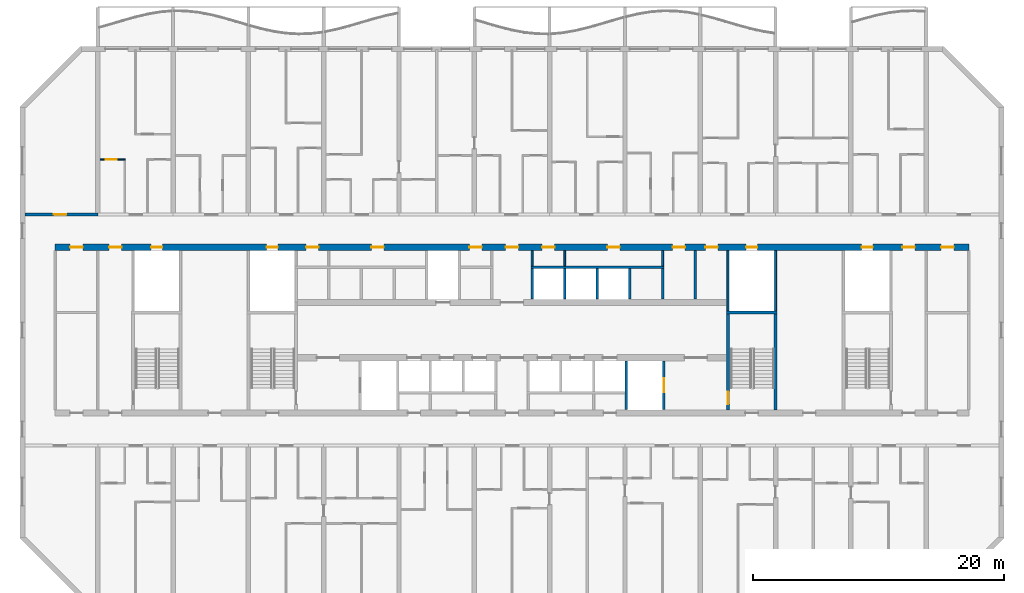
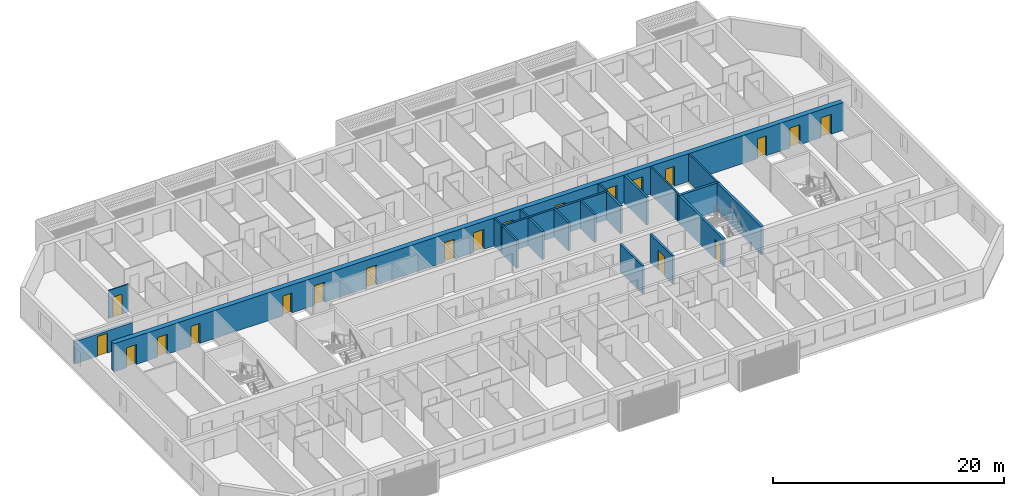
# One storey, part 8 of 24: 20 doors, 20 walls, 20 openings.
"""IFC4 building model written with IfcOpenShell, lengths in metres."""

from ifc_helpers import new_model, si_unit, direction, frame, frame_2d, origin, place, context, subcontext, project, spatial, rectangle, extrude, material, layer, layer_set, type_object, element, fill, save


model = new_model("IFC4")

# Units and contexts
model_context = context("Model", 3, precision=1e-05, world=origin(), true_north=direction((0.0, 1.0)))
body_context = subcontext(model_context, "Body", "Model", "MODEL_VIEW")
ifc_project = project(units=[si_unit("LENGTHUNIT", "METRE"), si_unit("AREAUNIT", "SQUARE_METRE"), si_unit("VOLUMEUNIT", "CUBIC_METRE"), si_unit("PLANEANGLEUNIT", "RADIAN"), si_unit("MASSUNIT", "GRAM", prefix="KILO")], contexts=[model_context])

# Site, building, storey
site_placement = place(None, origin())
site = spatial("IfcSite", under=ifc_project, at=site_placement, CompositionType="ELEMENT")
building_placement = place(site_placement, origin())
building = spatial("IfcBuilding", under=site, at=building_placement, Name="Poui Terraces", CompositionType="ELEMENT")
storey_placement = place(building_placement, frame((0.0, 0.0, 112.5)))
storey = spatial("IfcBuildingStorey", under=building, at=storey_placement, Name="L31", CompositionType="ELEMENT", Elevation=112.5)

# Wall
ifc_material_1 = material(Name="Fire-rated plasterboard wall")
ifc_layer_1 = layer(ifc_material_1, 0.14990234375)
ifc_layer_set_1 = layer_set([ifc_layer_1], Name="Fire-rated plasterboard wall")
wall_type_1 = type_object("IfcWallType", Name="CORRIDOR WALL 150", PredefinedType="PARTITIONING", material=ifc_layer_set_1)
wall_1_placement = place(storey_placement, frame((52.60009765625, 26.300048828125, 0.0), z_axis=(0.0, 0.0, 1.0), x_axis=(0.0, 1.0, 0.0)))
element("IfcWall", 1, at=wall_1_placement, inside=storey, type_object=wall_type_1, Name="CORRIDOR WALL 150", PredefinedType="PARTITIONING", context=body_context, shape_type="SweptSolid", body=[
    extrude(rectangle(XDim=1.239990234375, YDim=0.14990234375, at=frame_2d((0.6201171875, 0.0))), origin(), (0.0, 0.0, 1.0), 2.949951171875),
])

# Wall, opening, door
ifc_material_2 = material(Name="Concrete 65 MPa", Category="concrete")
ifc_layer_2 = layer(ifc_material_2, 0.25)
ifc_layer_set_2 = layer_set([ifc_layer_2], Name="Concrete 65 MPa")
wall_type_2 = type_object("IfcWallType", Name="CORRIDOR WALL 250 65MPa", PredefinedType="SHEAR", material=ifc_layer_set_2)
wall_2_placement = place(storey_placement, frame((12.199951171875, 30.39990234375, 0.0), z_axis=(0.0, 0.0, 1.0), x_axis=(1.0, 0.0, 0.0)))
wall_2 = element("IfcWall", 2, at=wall_2_placement, inside=storey, type_object=wall_type_2, Name="CORRIDOR WALL LINE E BAY 1", PredefinedType="SHEAR", context=body_context, shape_type="SweptSolid", body=[
    extrude(rectangle(XDim=5.800048828125, YDim=0.25, at=frame_2d((2.89990234375, 0.0))), origin(), (0.0, 0.0, 1.0), 2.35009765625),
])
opening_1_placement = place(wall_2_placement, frame((2.300048828125, 0.0, 0.0)))
opening_1 = element("IfcOpeningElement", 3, at=opening_1_placement, cuts=wall_2, Name="Opening D100", PredefinedType="OPENING", context=body_context, shape_type="SweptSolid", body=[
    extrude(rectangle(XDim=1.0, YDim=2.10009765625, at=frame_2d((0.5, 1.050048828125))), frame((0.0, 0.135009765625, 0.0), z_axis=(0.0, -1.0, 0.0), x_axis=(1.0, 0.0, 0.0)), (0.0, 0.0, 1.0), 0.27001953125),
])
ifc_material_3 = material(Name="Solid core timber door", Category="wood")
door_type_1 = type_object("IfcDoorType", Name="ACCESSIBLE INTERNAL DOOR 1000 X 2100", OperationType="NOTDEFINED", PredefinedType="DOOR", material=ifc_material_3)
door_1_placement = place(opening_1_placement, origin())
door_1 = element("IfcDoor", 4, at=door_1_placement, inside=storey, type_object=door_type_1, Name="ACCESSIBLE INTERNAL DOOR 030", OperationType="SINGLE_SWING_LEFT", OverallHeight=2.10009765625, OverallWidth=1.0, PredefinedType="DOOR", context=body_context, shape_type="SweptSolid", body=[
    extrude(rectangle(XDim=1.0, YDim=2.10009765625, at=frame_2d((0.5, 1.050048828125))), frame((0.0, 0.02490234375, 0.0), z_axis=(0.0, -1.0, 0.0), x_axis=(1.0, 0.0, 0.0)), (0.0, 0.0, 1.0), 0.050048828125),
])
fill(opening_1, door_1)

ifc_material_4 = material(Name="Plasterboard partition")
ifc_layer_3 = layer(ifc_material_4, 0.10009765625)
ifc_layer_set_3 = layer_set([ifc_layer_3], Name="Plasterboard partition")
wall_type_3 = type_object("IfcWallType", Name="FLAT PARTITION 100", PredefinedType="PARTITIONING", material=ifc_layer_set_3)
wall_3_placement = place(storey_placement, frame((18.18505859375, 34.800048828125, 0.0), z_axis=(0.0, 0.0, 1.0), x_axis=(1.0, 0.0, 0.0)))
wall_3 = element("IfcWall", 5, at=wall_3_placement, inside=storey, type_object=wall_type_3, Name="FLAT PARTITION 100", PredefinedType="PARTITIONING", context=body_context, shape_type="SweptSolid", body=[
    extrude(rectangle(XDim=2.014892578125, YDim=0.10009765625, at=frame_2d((1.00732421875, 0.0))), origin(), (0.0, 0.0, 1.0), 2.949951171875),
])
opening_2_placement = place(wall_3_placement, frame((0.43994140625, 0.0, 0.0)))
opening_2 = element("IfcOpeningElement", 6, at=opening_2_placement, cuts=wall_3, Name="Opening D90", PredefinedType="OPENING", context=body_context, shape_type="SweptSolid", body=[
    extrude(rectangle(XDim=0.89990234375, YDim=2.10009765625, at=frame_2d((0.449951171875, 1.050048828125))), frame((0.0, 0.06005859375, 0.0), z_axis=(0.0, -1.0, 0.0), x_axis=(1.0, 0.0, 0.0)), (0.0, 0.0, 1.0), 0.1201171875),
])
door_type_2 = type_object("IfcDoorType", Name="INTERNAL DOOR 900 X 2100", OperationType="NOTDEFINED", PredefinedType="DOOR", material=ifc_material_3)
door_2_placement = place(opening_2_placement, frame((0.89990234375, 0.0, 0.0), z_axis=(0.0, 0.0, 1.0), x_axis=(-1.0, 0.0, 0.0)))
door_2 = element("IfcDoor", 7, at=door_2_placement, inside=storey, type_object=door_type_2, Name="INTERNAL DOOR 031", OperationType="SINGLE_SWING_LEFT", OverallHeight=2.10009765625, OverallWidth=0.89990234375, PredefinedType="DOOR", context=body_context, shape_type="SweptSolid", body=[
    extrude(rectangle(XDim=0.89990234375, YDim=2.10009765625, at=frame_2d((0.449951171875, 1.050048828125))), frame((0.0, 0.02490234375, 0.0), z_axis=(0.0, -1.0, 0.0), x_axis=(1.0, 0.0, 0.0)), (0.0, 0.0, 1.0), 0.050048828125),
])
fill(opening_2, door_2)

# Walls
ifc_layer_4 = layer(ifc_material_4, 0.14990234375)
ifc_layer_set_4 = layer_set([ifc_layer_4], Name="Plasterboard partition")
wall_type_4 = type_object("IfcWallType", Name="PARTITION WALL 150", PredefinedType="PARTITIONING", material=ifc_layer_set_4)
for number, where, z_axis, x_axis, name in (
    (8, (55.199951171875, 26.300048828125, 0.0), (0.0, 0.0, 1.0), (0.0, 1.0, 0.0), "PARTITION WALL 150"),
    (9, (63.0, 26.300048828125, 0.0), (0.0, 0.0, 1.0), (0.0, 1.0, 0.0), "PARTITION WALL 150"),
):
    element("IfcWall", number, at=place(storey_placement, frame(where, z_axis=z_axis, x_axis=x_axis)), inside=storey, type_object=wall_type_4, Name=name, PredefinedType="PARTITIONING", context=body_context, shape_type="SweptSolid", body=[
        extrude(rectangle(XDim=1.239990234375, YDim=0.14990234375, at=frame_2d((0.6201171875, 0.0))), origin(), (0.0, 0.0, 1.0), 2.949951171875),
    ])
ifc_material_5 = material(Name="Fire-rated masonry wall", Category="masonry")
ifc_layer_5 = layer(ifc_material_5, 0.199951171875)
ifc_layer_set_5 = layer_set([ifc_layer_5], Name="Fire-rated masonry wall")
wall_type_5 = type_object("IfcWallType", Name="PLANT ROOM WALL 200", PredefinedType="PARTITIONING", material=ifc_layer_set_5)
wall_4_placement = place(storey_placement, frame((65.60009765625, 23.659912109375, 0.0), z_axis=(0.0, 0.0, 1.0), x_axis=(0.0, 1.0, 0.0)))
element("IfcWall", 10, at=wall_4_placement, inside=storey, type_object=wall_type_5, Name="PLANT ROOM WALL 200", PredefinedType="PARTITIONING", context=body_context, shape_type="SweptSolid", body=[
    extrude(rectangle(XDim=3.880126953125, YDim=0.199951171875, at=frame_2d((1.93994140625, 0.0))), origin(), (0.0, 0.0, 1.0), 2.949951171875),
])
ifc_material_6 = material(Name="Fire-rated plasterboard riser wall")
ifc_layer_6 = layer(ifc_material_6, 0.14990234375)
ifc_layer_set_6 = layer_set([ifc_layer_6], Name="Fire-rated plasterboard riser wall")
wall_type_6 = type_object("IfcWallType", Name="RISER WALL 150", PredefinedType="PARTITIONING", material=ifc_layer_set_6)
for number, where, z_axis, x_axis, name in (
    (11, (68.199951171875, 22.735107421875, 0.0), (0.0, 0.0, 1.0), (0.0, 1.0, 0.0), "RISER WALL 150"),
    (12, (72.0, 22.735107421875, 0.0), (0.0, 0.0, 1.0), (0.0, 1.0, 0.0), "RISER WALL 150"),
):
    element("IfcWall", number, at=place(storey_placement, frame(where, z_axis=z_axis, x_axis=x_axis)), inside=storey, type_object=wall_type_6, Name=name, PredefinedType="PARTITIONING", context=body_context, shape_type="SweptSolid", body=[
        extrude(rectangle(XDim=4.804931640625, YDim=0.14990234375, at=frame_2d((2.40234375, 0.0))), origin(), (0.0, 0.0, 1.0), 2.949951171875),
    ])
ifc_material_7 = material(Name="Fire-rated masonry shaft wall", Category="masonry")
ifc_layer_7 = layer(ifc_material_7, 0.199951171875)
ifc_layer_set_7 = layer_set([ifc_layer_7], Name="Fire-rated masonry shaft wall")
wall_type_7 = type_object("IfcWallType", Name="SHAFT WALL 200", PredefinedType="PARTITIONING", material=ifc_layer_set_7)
wall_5_placement = place(storey_placement, frame((52.5, 26.199951171875, 0.0), z_axis=(0.0, 0.0, 1.0), x_axis=(1.0, 0.0, 0.0)))
element("IfcWall", 13, at=wall_5_placement, inside=storey, type_object=wall_type_7, Name="SHAFT WALL 200", PredefinedType="PARTITIONING", context=body_context, shape_type="SweptSolid", body=[
    extrude(rectangle(XDim=10.60009765625, YDim=0.199951171875, at=frame_2d((5.300048828125, 0.0))), origin(), (0.0, 0.0, 1.0), 2.949951171875),
])
for number, where, z_axis, x_axis, name in (
    (14, (52.60009765625, 23.659912109375, 0.0), (0.0, 0.0, 1.0), (0.0, 1.0, 0.0), "SHAFT WALL 200"),
    (15, (55.199951171875, 23.659912109375, 0.0), (0.0, 0.0, 1.0), (0.0, 1.0, 0.0), "SHAFT WALL 200"),
    (16, (57.800048828125, 23.659912109375, 0.0), (0.0, 0.0, 1.0), (0.0, 1.0, 0.0), "SHAFT WALL 200"),
):
    element("IfcWall", number, at=place(storey_placement, frame(where, z_axis=z_axis, x_axis=x_axis)), inside=storey, type_object=wall_type_7, Name=name, PredefinedType="PARTITIONING", context=body_context, shape_type="SweptSolid", body=[
        extrude(rectangle(XDim=2.440185546875, YDim=0.199951171875, at=frame_2d((1.22021484375, 0.0))), origin(), (0.0, 0.0, 1.0), 2.949951171875),
    ])
wall_6_placement = place(storey_placement, frame((60.10009765625, 14.860107421875, 0.0), z_axis=(0.0, 0.0, 1.0), x_axis=(0.0, 1.0, 0.0)))
element("IfcWall", 17, at=wall_6_placement, inside=storey, type_object=wall_type_7, Name="SHAFT WALL 200", PredefinedType="PARTITIONING", context=body_context, shape_type="SweptSolid", body=[
    extrude(rectangle(XDim=3.8798828125, YDim=0.199951171875, at=frame_2d((1.93994140625, 0.0))), origin(), (0.0, 0.0, 1.0), 2.949951171875),
])
for number, where, z_axis, x_axis, name in (
    (18, (60.39990234375, 23.659912109375, 0.0), (0.0, 0.0, 1.0), (0.0, 1.0, 0.0), "SHAFT WALL 200"),
    (19, (63.0, 23.659912109375, 0.0), (0.0, 0.0, 1.0), (0.0, 1.0, 0.0), "SHAFT WALL 200"),
):
    element("IfcWall", number, at=place(storey_placement, frame(where, z_axis=z_axis, x_axis=x_axis)), inside=storey, type_object=wall_type_7, Name=name, PredefinedType="PARTITIONING", context=body_context, shape_type="SweptSolid", body=[
        extrude(rectangle(XDim=2.440185546875, YDim=0.199951171875, at=frame_2d((1.22021484375, 0.0))), origin(), (0.0, 0.0, 1.0), 2.949951171875),
    ])

# Wall, opening, door
wall_7_placement = place(storey_placement, frame((63.10009765625, 14.860107421875, 0.0), z_axis=(0.0, 0.0, 1.0), x_axis=(0.0, 1.0, 0.0)))
wall_7 = element("IfcWall", 20, at=wall_7_placement, inside=storey, type_object=wall_type_7, Name="SHAFT WALL 200", PredefinedType="PARTITIONING", context=body_context, shape_type="SweptSolid", body=[
    extrude(rectangle(XDim=3.8798828125, YDim=0.199951171875, at=frame_2d((1.93994140625, 0.0))), origin(), (0.0, 0.0, 1.0), 2.949951171875),
])
opening_3_placement = place(wall_7_placement, frame((1.389892578125, 0.0, 0.0)))
opening_3 = element("IfcOpeningElement", 21, at=opening_3_placement, cuts=wall_7, Name="Opening LD", PredefinedType="OPENING", context=body_context, shape_type="SweptSolid", body=[
    extrude(rectangle(XDim=1.10009765625, YDim=2.10009765625, at=frame_2d((0.550048828125, 1.050048828125))), frame((0.0, 0.10986328125, 0.0), z_axis=(0.0, -1.0, 0.0), x_axis=(1.0, 0.0, 0.0)), (0.0, 0.0, 1.0), 0.219970703125),
])
ifc_material_8 = material(Name="Stainless steel sliding door", Category="steel")
door_type_3 = type_object("IfcDoorType", Name="LIFT LANDING DOOR 1100 X 2100", OperationType="DOUBLE_DOOR_SLIDING", PredefinedType="DOOR", material=ifc_material_8)
door_3_placement = place(opening_3_placement, origin())
door_3 = element("IfcDoor", 22, at=door_3_placement, inside=storey, type_object=door_type_3, Name="LANDING DOOR", OperationType="DOUBLE_DOOR_SLIDING", OverallHeight=2.10009765625, OverallWidth=1.10009765625, PredefinedType="DOOR", context=body_context, shape_type="SweptSolid", body=[
    extrude(rectangle(XDim=1.10009765625, YDim=2.10009765625, at=frame_2d((0.550048828125, 1.050048828125))), frame((0.0, 0.02490234375, 0.0), z_axis=(0.0, -1.0, 0.0), x_axis=(1.0, 0.0, 0.0)), (0.0, 0.0, 1.0), 0.050048828125),
])
fill(opening_3, door_3)

# Wall, openings, doors
ifc_layer_8 = layer(ifc_material_2, 0.5)
ifc_layer_set_8 = layer_set([ifc_layer_8], Name="Concrete 65 MPa")
wall_type_8 = type_object("IfcWallType", Name="SPINE WALL 500 65 MPA", PredefinedType="SOLIDWALL", material=ifc_layer_set_8)
wall_8_placement = place(storey_placement, frame((14.60009765625, 27.800048828125, 0.0), z_axis=(0.0, 0.0, 1.0), x_axis=(1.0, 0.0, 0.0)))
wall_8 = element("IfcWall", 23, at=wall_8_placement, inside=storey, type_object=wall_type_8, Name="SPINE WALL", PredefinedType="SOLIDWALL", context=body_context, shape_type="SweptSolid", body=[
    extrude(rectangle(XDim=72.7998046875, YDim=0.5, at=frame_2d((36.39990234375, 0.0))), origin(), (0.0, 0.0, 1.0), 2.949951171875),
])
opening_4_placement = place(wall_8_placement, frame((1.199951171875, 0.0, 0.0)))
opening_4 = element("IfcOpeningElement", 24, at=opening_4_placement, cuts=wall_8, Name="Opening D100", PredefinedType="OPENING", context=body_context, shape_type="SweptSolid", body=[
    extrude(rectangle(XDim=1.0, YDim=2.10009765625, at=frame_2d((0.5, 1.050048828125))), frame((0.0, 0.260009765625, 0.0), z_axis=(0.0, -1.0, 0.0), x_axis=(1.0, 0.0, 0.0)), (0.0, 0.0, 1.0), 0.52001953125),
])
opening_5_placement = place(wall_8_placement, frame((4.300048828125, 0.0, 0.0)))
opening_5 = element("IfcOpeningElement", 25, at=opening_5_placement, cuts=wall_8, Name="Opening FDL", PredefinedType="OPENING", context=body_context, shape_type="SweptSolid", body=[
    extrude(rectangle(XDim=1.0, YDim=2.10009765625, at=frame_2d((0.5, 1.050048828125))), frame((0.0, 0.260009765625, 0.0), z_axis=(0.0, -1.0, 0.0), x_axis=(1.0, 0.0, 0.0)), (0.0, 0.0, 1.0), 0.52001953125),
])
opening_6_placement = place(wall_8_placement, frame((7.64990234375, 0.0, 0.0)))
opening_6 = element("IfcOpeningElement", 26, at=opening_6_placement, cuts=wall_8, Name="Opening FDR", PredefinedType="OPENING", context=body_context, shape_type="SweptSolid", body=[
    extrude(rectangle(XDim=0.89990234375, YDim=2.10009765625, at=frame_2d((0.449951171875, 1.050048828125))), frame((0.0, 0.260009765625, 0.0), z_axis=(0.0, -1.0, 0.0), x_axis=(1.0, 0.0, 0.0)), (0.0, 0.0, 1.0), 0.52001953125),
])
opening_7_placement = place(wall_8_placement, frame((16.85009765625, 0.0, 0.0)))
opening_7 = element("IfcOpeningElement", 27, at=opening_7_placement, cuts=wall_8, Name="Opening FDR", PredefinedType="OPENING", context=body_context, shape_type="SweptSolid", body=[
    extrude(rectangle(XDim=0.89990234375, YDim=2.10009765625, at=frame_2d((0.449951171875, 1.050048828125))), frame((0.0, 0.260009765625, 0.0), z_axis=(0.0, -1.0, 0.0), x_axis=(1.0, 0.0, 0.0)), (0.0, 0.0, 1.0), 0.52001953125),
])
opening_8_placement = place(wall_8_placement, frame((20.0, 0.0, 0.0)))
opening_8 = element("IfcOpeningElement", 28, at=opening_8_placement, cuts=wall_8, Name="Opening FD60", PredefinedType="OPENING", context=body_context, shape_type="SweptSolid", body=[
    extrude(rectangle(XDim=1.0, YDim=2.10009765625, at=frame_2d((0.5, 1.050048828125))), frame((0.0, 0.260009765625, 0.0), z_axis=(0.0, -1.0, 0.0), x_axis=(1.0, 0.0, 0.0)), (0.0, 0.0, 1.0), 0.52001953125),
])
opening_9_placement = place(wall_8_placement, frame((25.199951171875, 0.0, 0.0)))
opening_9 = element("IfcOpeningElement", 29, at=opening_9_placement, cuts=wall_8, Name="Opening FD60", PredefinedType="OPENING", context=body_context, shape_type="SweptSolid", body=[
    extrude(rectangle(XDim=1.0, YDim=2.10009765625, at=frame_2d((0.5, 1.050048828125))), frame((0.0, 0.260009765625, 0.0), z_axis=(0.0, -1.0, 0.0), x_axis=(1.0, 0.0, 0.0)), (0.0, 0.0, 1.0), 0.52001953125),
])
opening_10_placement = place(wall_8_placement, frame((33.0, 0.0, 0.0)))
opening_10 = element("IfcOpeningElement", 30, at=opening_10_placement, cuts=wall_8, Name="Opening FD60", PredefinedType="OPENING", context=body_context, shape_type="SweptSolid", body=[
    extrude(rectangle(XDim=1.0, YDim=2.10009765625, at=frame_2d((0.5, 1.050048828125))), frame((0.0, 0.260009765625, 0.0), z_axis=(0.0, -1.0, 0.0), x_axis=(1.0, 0.0, 0.0)), (0.0, 0.0, 1.0), 0.52001953125),
])
opening_11_placement = place(wall_8_placement, frame((35.89990234375, 0.0, 0.0)))
opening_11 = element("IfcOpeningElement", 31, at=opening_11_placement, cuts=wall_8, Name="Opening FDL", PredefinedType="OPENING", context=body_context, shape_type="SweptSolid", body=[
    extrude(rectangle(XDim=1.0, YDim=2.10009765625, at=frame_2d((0.5, 1.050048828125))), frame((0.0, 0.260009765625, 0.0), z_axis=(0.0, -1.0, 0.0), x_axis=(1.0, 0.0, 0.0)), (0.0, 0.0, 1.0), 0.52001953125),
])
opening_12_placement = place(wall_8_placement, frame((38.800048828125, 0.0, 0.0)))
opening_12 = element("IfcOpeningElement", 32, at=opening_12_placement, cuts=wall_8, Name="Opening FD60", PredefinedType="OPENING", context=body_context, shape_type="SweptSolid", body=[
    extrude(rectangle(XDim=1.0, YDim=2.10009765625, at=frame_2d((0.5, 1.050048828125))), frame((0.0, 0.260009765625, 0.0), z_axis=(0.0, -1.0, 0.0), x_axis=(1.0, 0.0, 0.0)), (0.0, 0.0, 1.0), 0.52001953125),
])
opening_13_placement = place(wall_8_placement, frame((44.0, 0.0, 0.0)))
opening_13 = element("IfcOpeningElement", 33, at=opening_13_placement, cuts=wall_8, Name="Opening FD60", PredefinedType="OPENING", context=body_context, shape_type="SweptSolid", body=[
    extrude(rectangle(XDim=1.0, YDim=2.10009765625, at=frame_2d((0.5, 1.050048828125))), frame((0.0, 0.260009765625, 0.0), z_axis=(0.0, -1.0, 0.0), x_axis=(1.0, 0.0, 0.0)), (0.0, 0.0, 1.0), 0.52001953125),
])
opening_14_placement = place(wall_8_placement, frame((49.199951171875, 0.0, 0.0)))
opening_14 = element("IfcOpeningElement", 34, at=opening_14_placement, cuts=wall_8, Name="Opening FD60", PredefinedType="OPENING", context=body_context, shape_type="SweptSolid", body=[
    extrude(rectangle(XDim=1.0, YDim=2.10009765625, at=frame_2d((0.5, 1.050048828125))), frame((0.0, 0.260009765625, 0.0), z_axis=(0.0, -1.0, 0.0), x_axis=(1.0, 0.0, 0.0)), (0.0, 0.0, 1.0), 0.52001953125),
])
opening_15_placement = place(wall_8_placement, frame((51.800048828125, 0.0, 0.0)))
opening_15 = element("IfcOpeningElement", 35, at=opening_15_placement, cuts=wall_8, Name="Opening FD60", PredefinedType="OPENING", context=body_context, shape_type="SweptSolid", body=[
    extrude(rectangle(XDim=1.0, YDim=2.10009765625, at=frame_2d((0.5, 1.050048828125))), frame((0.0, 0.260009765625, 0.0), z_axis=(0.0, -1.0, 0.0), x_axis=(1.0, 0.0, 0.0)), (0.0, 0.0, 1.0), 0.52001953125),
])
opening_16_placement = place(wall_8_placement, frame((55.050048828125, 0.0, 0.0)))
opening_16 = element("IfcOpeningElement", 36, at=opening_16_placement, cuts=wall_8, Name="Opening FDR", PredefinedType="OPENING", context=body_context, shape_type="SweptSolid", body=[
    extrude(rectangle(XDim=0.89990234375, YDim=2.10009765625, at=frame_2d((0.449951171875, 1.050048828125))), frame((0.0, 0.260009765625, 0.0), z_axis=(0.0, -1.0, 0.0), x_axis=(1.0, 0.0, 0.0)), (0.0, 0.0, 1.0), 0.52001953125),
])
opening_17_placement = place(wall_8_placement, frame((64.25, 0.0, 0.0)))
opening_17 = element("IfcOpeningElement", 37, at=opening_17_placement, cuts=wall_8, Name="Opening FDR", PredefinedType="OPENING", context=body_context, shape_type="SweptSolid", body=[
    extrude(rectangle(XDim=0.89990234375, YDim=2.10009765625, at=frame_2d((0.449951171875, 1.050048828125))), frame((0.0, 0.260009765625, 0.0), z_axis=(0.0, -1.0, 0.0), x_axis=(1.0, 0.0, 0.0)), (0.0, 0.0, 1.0), 0.52001953125),
])
opening_18_placement = place(wall_8_placement, frame((67.5, 0.0, 0.0)))
opening_18 = element("IfcOpeningElement", 38, at=opening_18_placement, cuts=wall_8, Name="Opening FDL", PredefinedType="OPENING", context=body_context, shape_type="SweptSolid", body=[
    extrude(rectangle(XDim=1.0, YDim=2.10009765625, at=frame_2d((0.5, 1.050048828125))), frame((0.0, 0.260009765625, 0.0), z_axis=(0.0, -1.0, 0.0), x_axis=(1.0, 0.0, 0.0)), (0.0, 0.0, 1.0), 0.52001953125),
])
opening_19_placement = place(wall_8_placement, frame((70.60009765625, 0.0, 0.0)))
opening_19 = element("IfcOpeningElement", 39, at=opening_19_placement, cuts=wall_8, Name="Opening D100", PredefinedType="OPENING", context=body_context, shape_type="SweptSolid", body=[
    extrude(rectangle(XDim=1.0, YDim=2.10009765625, at=frame_2d((0.5, 1.050048828125))), frame((0.0, 0.260009765625, 0.0), z_axis=(0.0, -1.0, 0.0), x_axis=(1.0, 0.0, 0.0)), (0.0, 0.0, 1.0), 0.52001953125),
])
door_4_placement = place(opening_4_placement, origin())
door_4 = element("IfcDoor", 40, at=door_4_placement, inside=storey, type_object=door_type_1, Name="ACCESSIBLE INTERNAL DOOR 001", OperationType="SINGLE_SWING_LEFT", OverallHeight=2.10009765625, OverallWidth=1.0, PredefinedType="DOOR", context=body_context, shape_type="SweptSolid", body=[
    extrude(rectangle(XDim=1.0, YDim=2.10009765625, at=frame_2d((0.5, 1.050048828125))), frame((0.0, 0.02490234375, 0.0), z_axis=(0.0, -1.0, 0.0), x_axis=(1.0, 0.0, 0.0)), (0.0, 0.0, 1.0), 0.050048828125),
])
fill(opening_4, door_4)
door_5_placement = place(opening_19_placement, origin())
door_5 = element("IfcDoor", 41, at=door_5_placement, inside=storey, type_object=door_type_1, Name="ACCESSIBLE INTERNAL DOOR 016", OperationType="SINGLE_SWING_LEFT", OverallHeight=2.10009765625, OverallWidth=1.0, PredefinedType="DOOR", context=body_context, shape_type="SweptSolid", body=[
    extrude(rectangle(XDim=1.0, YDim=2.10009765625, at=frame_2d((0.5, 1.050048828125))), frame((0.0, 0.02490234375, 0.0), z_axis=(0.0, -1.0, 0.0), x_axis=(1.0, 0.0, 0.0)), (0.0, 0.0, 1.0), 0.050048828125),
])
fill(opening_19, door_5)
ifc_material_9 = material(Name="Steel fire door", Category="steel")
door_type_4 = type_object("IfcDoorType", Name="LOBBY FIRE DOOR 1000 X 2100", OperationType="NOTDEFINED", PredefinedType="DOOR", material=ifc_material_9)
door_6_placement = place(opening_5_placement, origin())
door_6 = element("IfcDoor", 42, at=door_6_placement, inside=storey, type_object=door_type_4, Name="LOBBY FIRE DOOR 002", OperationType="SINGLE_SWING_LEFT", OverallHeight=2.10009765625, OverallWidth=1.0, PredefinedType="DOOR", context=body_context, shape_type="SweptSolid", body=[
    extrude(rectangle(XDim=1.0, YDim=2.10009765625, at=frame_2d((0.5, 1.050048828125))), frame((0.0, 0.02490234375, 0.0), z_axis=(0.0, -1.0, 0.0), x_axis=(1.0, 0.0, 0.0)), (0.0, 0.0, 1.0), 0.050048828125),
])
fill(opening_5, door_6)
door_7_placement = place(opening_11_placement, origin())
door_7 = element("IfcDoor", 43, at=door_7_placement, inside=storey, type_object=door_type_4, Name="LOBBY FIRE DOOR 008", OperationType="SINGLE_SWING_RIGHT", OverallHeight=2.10009765625, OverallWidth=1.0, PredefinedType="DOOR", context=body_context, shape_type="SweptSolid", body=[
    extrude(rectangle(XDim=1.0, YDim=2.10009765625, at=frame_2d((0.5, 1.050048828125))), frame((0.0, 0.02490234375, 0.0), z_axis=(0.0, -1.0, 0.0), x_axis=(1.0, 0.0, 0.0)), (0.0, 0.0, 1.0), 0.050048828125),
])
fill(opening_11, door_7)
door_8_placement = place(opening_18_placement, origin())
door_8 = element("IfcDoor", 44, at=door_8_placement, inside=storey, type_object=door_type_4, Name="LOBBY FIRE DOOR 015", OperationType="SINGLE_SWING_RIGHT", OverallHeight=2.10009765625, OverallWidth=1.0, PredefinedType="DOOR", context=body_context, shape_type="SweptSolid", body=[
    extrude(rectangle(XDim=1.0, YDim=2.10009765625, at=frame_2d((0.5, 1.050048828125))), frame((0.0, 0.02490234375, 0.0), z_axis=(0.0, -1.0, 0.0), x_axis=(1.0, 0.0, 0.0)), (0.0, 0.0, 1.0), 0.050048828125),
])
fill(opening_18, door_8)
door_type_5 = type_object("IfcDoorType", Name="RISER CUPBOARD DOOR 900 X 2100", OperationType="NOTDEFINED", PredefinedType="DOOR", material=ifc_material_9)
door_9_placement = place(opening_6_placement, origin())
door_9 = element("IfcDoor", 45, at=door_9_placement, inside=storey, type_object=door_type_5, Name="RISER CUPBOARD DOOR 003", OperationType="SINGLE_SWING_LEFT", OverallHeight=2.10009765625, OverallWidth=0.89990234375, PredefinedType="DOOR", context=body_context, shape_type="SweptSolid", body=[
    extrude(rectangle(XDim=0.89990234375, YDim=2.10009765625, at=frame_2d((0.449951171875, 1.050048828125))), frame((0.0, 0.02490234375, 0.0), z_axis=(0.0, -1.0, 0.0), x_axis=(1.0, 0.0, 0.0)), (0.0, 0.0, 1.0), 0.050048828125),
])
fill(opening_6, door_9)
door_10_placement = place(opening_7_placement, origin())
door_10 = element("IfcDoor", 46, at=door_10_placement, inside=storey, type_object=door_type_5, Name="RISER CUPBOARD DOOR 004", OperationType="SINGLE_SWING_LEFT", OverallHeight=2.10009765625, OverallWidth=0.89990234375, PredefinedType="DOOR", context=body_context, shape_type="SweptSolid", body=[
    extrude(rectangle(XDim=0.89990234375, YDim=2.10009765625, at=frame_2d((0.449951171875, 1.050048828125))), frame((0.0, 0.02490234375, 0.0), z_axis=(0.0, -1.0, 0.0), x_axis=(1.0, 0.0, 0.0)), (0.0, 0.0, 1.0), 0.050048828125),
])
fill(opening_7, door_10)
door_11_placement = place(opening_16_placement, origin())
door_11 = element("IfcDoor", 47, at=door_11_placement, inside=storey, type_object=door_type_5, Name="RISER CUPBOARD DOOR 013", OperationType="SINGLE_SWING_RIGHT", OverallHeight=2.10009765625, OverallWidth=0.89990234375, PredefinedType="DOOR", context=body_context, shape_type="SweptSolid", body=[
    extrude(rectangle(XDim=0.89990234375, YDim=2.10009765625, at=frame_2d((0.449951171875, 1.050048828125))), frame((0.0, 0.02490234375, 0.0), z_axis=(0.0, -1.0, 0.0), x_axis=(1.0, 0.0, 0.0)), (0.0, 0.0, 1.0), 0.050048828125),
])
fill(opening_16, door_11)
door_12_placement = place(opening_17_placement, origin())
door_12 = element("IfcDoor", 48, at=door_12_placement, inside=storey, type_object=door_type_5, Name="RISER CUPBOARD DOOR 014", OperationType="SINGLE_SWING_RIGHT", OverallHeight=2.10009765625, OverallWidth=0.89990234375, PredefinedType="DOOR", context=body_context, shape_type="SweptSolid", body=[
    extrude(rectangle(XDim=0.89990234375, YDim=2.10009765625, at=frame_2d((0.449951171875, 1.050048828125))), frame((0.0, 0.02490234375, 0.0), z_axis=(0.0, -1.0, 0.0), x_axis=(1.0, 0.0, 0.0)), (0.0, 0.0, 1.0), 0.050048828125),
])
fill(opening_17, door_12)
door_type_6 = type_object("IfcDoorType", Name="SERVICE ROOM FIRE DOOR 1000 X 2100", OperationType="NOTDEFINED", PredefinedType="DOOR", material=ifc_material_9)
door_13_placement = place(opening_8_placement, origin())
door_13 = element("IfcDoor", 49, at=door_13_placement, inside=storey, type_object=door_type_6, Name="SERVICE ROOM FIRE DOOR 005", OperationType="SINGLE_SWING_LEFT", OverallHeight=2.10009765625, OverallWidth=1.0, PredefinedType="DOOR", context=body_context, shape_type="SweptSolid", body=[
    extrude(rectangle(XDim=1.0, YDim=2.10009765625, at=frame_2d((0.5, 1.050048828125))), frame((0.0, 0.02490234375, 0.0), z_axis=(0.0, -1.0, 0.0), x_axis=(1.0, 0.0, 0.0)), (0.0, 0.0, 1.0), 0.050048828125),
])
fill(opening_8, door_13)
door_14_placement = place(opening_9_placement, origin())
door_14 = element("IfcDoor", 50, at=door_14_placement, inside=storey, type_object=door_type_6, Name="SERVICE ROOM FIRE DOOR 006", OperationType="SINGLE_SWING_RIGHT", OverallHeight=2.10009765625, OverallWidth=1.0, PredefinedType="DOOR", context=body_context, shape_type="SweptSolid", body=[
    extrude(rectangle(XDim=1.0, YDim=2.10009765625, at=frame_2d((0.5, 1.050048828125))), frame((0.0, 0.02490234375, 0.0), z_axis=(0.0, -1.0, 0.0), x_axis=(1.0, 0.0, 0.0)), (0.0, 0.0, 1.0), 0.050048828125),
])
fill(opening_9, door_14)
door_15_placement = place(opening_10_placement, origin())
door_15 = element("IfcDoor", 51, at=door_15_placement, inside=storey, type_object=door_type_6, Name="SERVICE ROOM FIRE DOOR 007", OperationType="SINGLE_SWING_LEFT", OverallHeight=2.10009765625, OverallWidth=1.0, PredefinedType="DOOR", context=body_context, shape_type="SweptSolid", body=[
    extrude(rectangle(XDim=1.0, YDim=2.10009765625, at=frame_2d((0.5, 1.050048828125))), frame((0.0, 0.02490234375, 0.0), z_axis=(0.0, -1.0, 0.0), x_axis=(1.0, 0.0, 0.0)), (0.0, 0.0, 1.0), 0.050048828125),
])
fill(opening_10, door_15)
door_16_placement = place(opening_12_placement, origin())
door_16 = element("IfcDoor", 52, at=door_16_placement, inside=storey, type_object=door_type_6, Name="SERVICE ROOM FIRE DOOR 009", OperationType="SINGLE_SWING_RIGHT", OverallHeight=2.10009765625, OverallWidth=1.0, PredefinedType="DOOR", context=body_context, shape_type="SweptSolid", body=[
    extrude(rectangle(XDim=1.0, YDim=2.10009765625, at=frame_2d((0.5, 1.050048828125))), frame((0.0, 0.02490234375, 0.0), z_axis=(0.0, -1.0, 0.0), x_axis=(1.0, 0.0, 0.0)), (0.0, 0.0, 1.0), 0.050048828125),
])
fill(opening_12, door_16)
door_17_placement = place(opening_13_placement, origin())
door_17 = element("IfcDoor", 53, at=door_17_placement, inside=storey, type_object=door_type_6, Name="SERVICE ROOM FIRE DOOR 010", OperationType="SINGLE_SWING_LEFT", OverallHeight=2.10009765625, OverallWidth=1.0, PredefinedType="DOOR", context=body_context, shape_type="SweptSolid", body=[
    extrude(rectangle(XDim=1.0, YDim=2.10009765625, at=frame_2d((0.5, 1.050048828125))), frame((0.0, 0.02490234375, 0.0), z_axis=(0.0, -1.0, 0.0), x_axis=(1.0, 0.0, 0.0)), (0.0, 0.0, 1.0), 0.050048828125),
])
fill(opening_13, door_17)
door_18_placement = place(opening_14_placement, origin())
door_18 = element("IfcDoor", 54, at=door_18_placement, inside=storey, type_object=door_type_6, Name="SERVICE ROOM FIRE DOOR 011", OperationType="SINGLE_SWING_RIGHT", OverallHeight=2.10009765625, OverallWidth=1.0, PredefinedType="DOOR", context=body_context, shape_type="SweptSolid", body=[
    extrude(rectangle(XDim=1.0, YDim=2.10009765625, at=frame_2d((0.5, 1.050048828125))), frame((0.0, 0.02490234375, 0.0), z_axis=(0.0, -1.0, 0.0), x_axis=(1.0, 0.0, 0.0)), (0.0, 0.0, 1.0), 0.050048828125),
])
fill(opening_14, door_18)
door_19_placement = place(opening_15_placement, origin())
door_19 = element("IfcDoor", 55, at=door_19_placement, inside=storey, type_object=door_type_6, Name="SERVICE ROOM FIRE DOOR 012", OperationType="SINGLE_SWING_LEFT", OverallHeight=2.10009765625, OverallWidth=1.0, PredefinedType="DOOR", context=body_context, shape_type="SweptSolid", body=[
    extrude(rectangle(XDim=1.0, YDim=2.10009765625, at=frame_2d((0.5, 1.050048828125))), frame((0.0, 0.02490234375, 0.0), z_axis=(0.0, -1.0, 0.0), x_axis=(1.0, 0.0, 0.0)), (0.0, 0.0, 1.0), 0.050048828125),
])
fill(opening_15, door_19)

# Wall, opening, door
ifc_layer_9 = layer(ifc_material_2, 0.25)
ifc_layer_set_9 = layer_set([ifc_layer_9], Name="Concrete 65 MPa")
wall_type_9 = type_object("IfcWallType", Name="STAIR CORE WALL 250 65 MPA", PredefinedType="SOLIDWALL", material=ifc_layer_set_9)
wall_9_placement = place(storey_placement, frame((68.199951171875, 14.85009765625, 0.0), z_axis=(0.0, 0.0, 1.0), x_axis=(0.0, 1.0, 0.0)))
wall_9 = element("IfcWall", 56, at=wall_9_placement, inside=storey, type_object=wall_type_9, Name="STAIR CORE WALL", PredefinedType="SOLIDWALL", context=body_context, shape_type="SweptSolid", body=[
    extrude(rectangle(XDim=7.625, YDim=0.25, at=frame_2d((3.8125, 0.0))), origin(), (0.0, 0.0, 1.0), 2.949951171875),
])
opening_20_placement = place(wall_9_placement, frame((0.449951171875, 0.0, 0.0)))
opening_20 = element("IfcOpeningElement", 57, at=opening_20_placement, cuts=wall_9, Name="Opening FD60S", PredefinedType="OPENING", context=body_context, shape_type="SweptSolid", body=[
    extrude(rectangle(XDim=1.0, YDim=2.10009765625, at=frame_2d((0.5, 1.050048828125))), frame((0.0, 0.135009765625, 0.0), z_axis=(0.0, -1.0, 0.0), x_axis=(1.0, 0.0, 0.0)), (0.0, 0.0, 1.0), 0.27001953125),
])
door_type_7 = type_object("IfcDoorType", Name="STAIR DOOR 1000 X 2100", OperationType="NOTDEFINED", PredefinedType="DOOR", material=ifc_material_9)
door_20_placement = place(opening_20_placement, frame((1.0, 0.0, 0.0), z_axis=(0.0, 0.0, 1.0), x_axis=(-1.0, 0.0, 0.0)))
door_20 = element("IfcDoor", 58, at=door_20_placement, inside=storey, type_object=door_type_7, Name="STAIR DOOR 121", OperationType="SINGLE_SWING_LEFT", OverallHeight=2.10009765625, OverallWidth=1.0, PredefinedType="DOOR", context=body_context, shape_type="SweptSolid", body=[
    extrude(rectangle(XDim=1.0, YDim=2.10009765625, at=frame_2d((0.5, 1.050048828125))), frame((0.0, 0.02490234375, 0.0), z_axis=(0.0, -1.0, 0.0), x_axis=(1.0, 0.0, 0.0)), (0.0, 0.0, 1.0), 0.050048828125),
])
fill(opening_20, door_20)

# Walls
wall_10_placement = place(storey_placement, frame((72.0, 14.85009765625, 0.0), z_axis=(0.0, 0.0, 1.0), x_axis=(0.0, 1.0, 0.0)))
element("IfcWall", 59, at=wall_10_placement, inside=storey, type_object=wall_type_9, Name="STAIR CORE WALL", PredefinedType="SOLIDWALL", context=body_context, shape_type="SweptSolid", body=[
    extrude(rectangle(XDim=7.625, YDim=0.25, at=frame_2d((3.8125, 0.0))), origin(), (0.0, 0.0, 1.0), 2.949951171875),
])
wall_11_placement = place(storey_placement, frame((68.074951171875, 22.60009765625, 0.0), z_axis=(0.0, 0.0, 1.0), x_axis=(1.0, 0.0, 0.0)))
element("IfcWall", 60, at=wall_11_placement, inside=storey, type_object=wall_type_9, Name="STAIR CORE WALL", PredefinedType="SOLIDWALL", context=body_context, shape_type="SweptSolid", body=[
    extrude(rectangle(XDim=4.050048828125, YDim=0.25, at=frame_2d((2.02490234375, 0.0))), origin(), (0.0, 0.0, 1.0), 2.949951171875),
])

save(model, "model.ifc")
